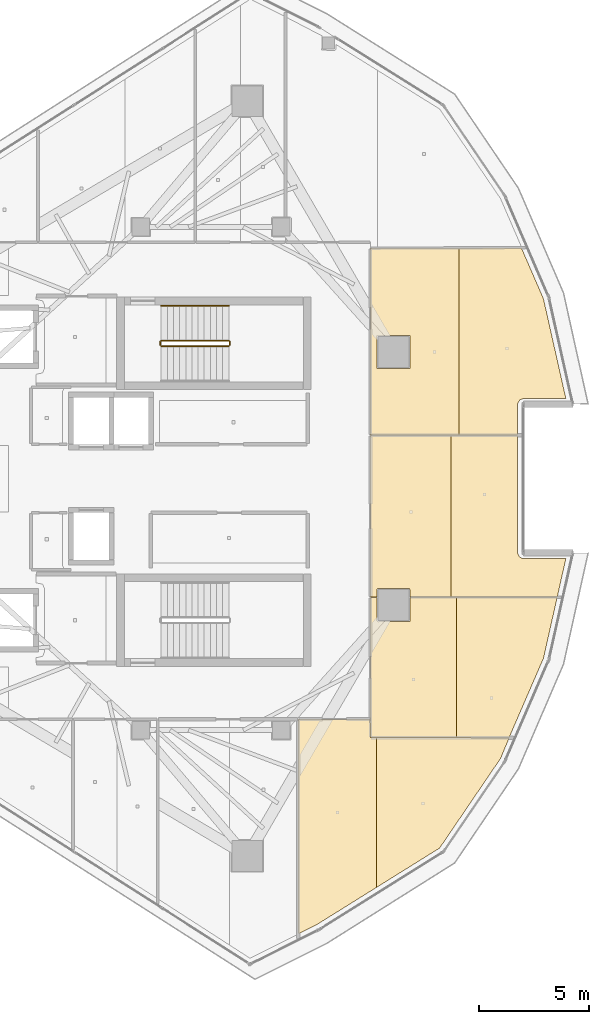
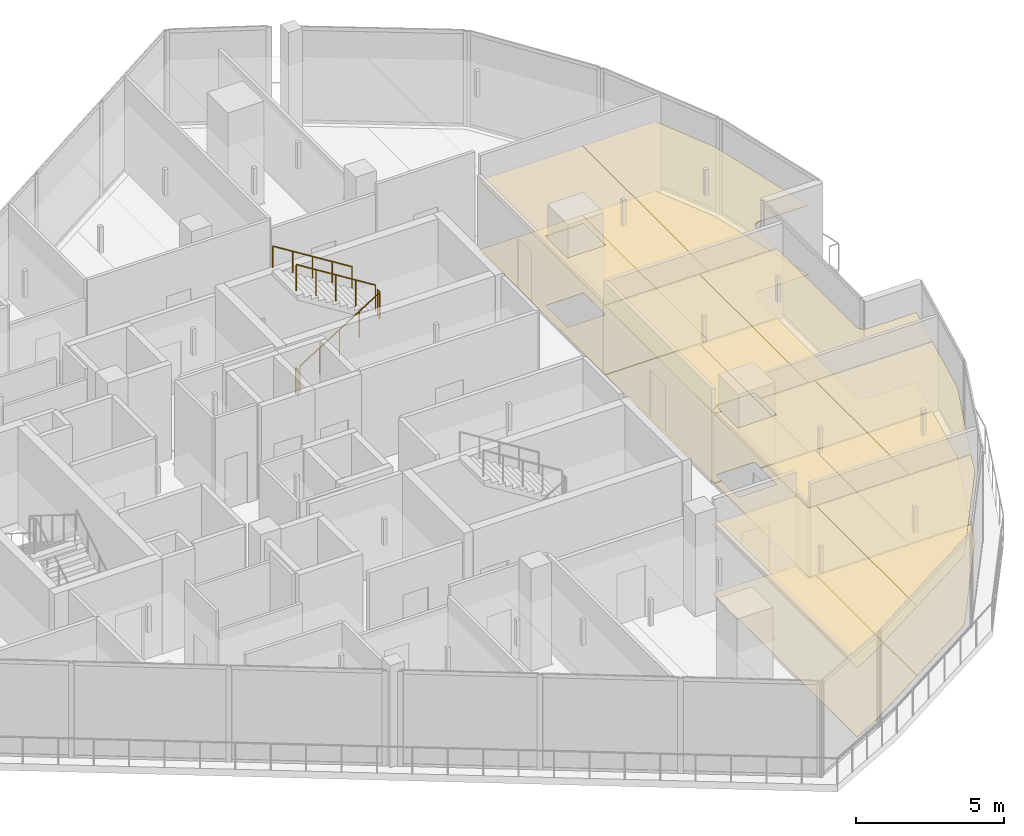
# One storey, part 24 of 25: 16 coverings, 5 railings.
"""IFC4 building model written with IfcOpenShell, lengths in metres."""

from ifc_helpers import new_model, si_unit, direction, frame, origin, origin_2d, place, context, subcontext, project, spatial, polyline, circle, outline, extrude, material, layer, layer_set, type_object, element, save


model = new_model("IFC4")

# Units and contexts
model_context = context("Model", 3, precision=1e-05, world=origin(), true_north=direction((0.0, 1.0)))
body_context = subcontext(model_context, "Body", "Model", "MODEL_VIEW")
ifc_project = project(units=[si_unit("LENGTHUNIT", "METRE"), si_unit("AREAUNIT", "SQUARE_METRE"), si_unit("VOLUMEUNIT", "CUBIC_METRE"), si_unit("PLANEANGLEUNIT", "RADIAN"), si_unit("MASSUNIT", "GRAM", prefix="KILO")], contexts=[model_context])

# Site, building, storey
site_placement = place(None, origin())
site = spatial("IfcSite", under=ifc_project, at=site_placement, CompositionType="ELEMENT")
building_placement = place(site_placement, origin())
building = spatial("IfcBuilding", under=site, at=building_placement, Name="Qorvath Tower", CompositionType="ELEMENT")
storey_placement = place(building_placement, frame((0.0, 0.0, 306.0)))
storey = spatial("IfcBuildingStorey", under=building, at=storey_placement, Name="L71", CompositionType="ELEMENT", Elevation=306.0)

# Coverings
ifc_material_1 = material(Name="Acoustic mineral fibre ceiling tile", Category="gypsum")
ifc_layer_1 = layer(ifc_material_1, 0.030029296875)
ifc_layer_set_1 = layer_set([ifc_layer_1], Name="COV-CEIL")
covering_type_1 = type_object("IfcCoveringType", Name="COV-CEIL", PredefinedType="CEILING", material=ifc_layer_set_1)
covering_1_placement = place(storey_placement, frame((0.0, 0.0, 2.85009765625)))
element("IfcCovering", 1, at=covering_1_placement, inside=storey, type_object=covering_type_1, Name="L71 Suspended Acoustic Ceiling 028", PredefinedType="CEILING", context=body_context, shape_type="SweptSolid", body=[
    extrude(outline(polyline([(-13.155029296875, -10.962890625), (-16.420654296875, -10.962890625), (-16.421142578125, -20.720947265625), (-15.59619140625, -20.30859375), (-12.8779296875, -18.61474609375), (-12.8779296875, -11.79345703125), (-13.14990234375, -11.793212890625), (-13.155029296875, -10.962890625)])), origin(), (0.0, 0.0, 1.0), 0.030029296875),
])
covering_2_placement = place(storey_placement, frame((0.0, 0.0, 2.85009765625)))
element("IfcCovering", 2, at=covering_2_placement, inside=storey, type_object=covering_type_1, Name="L71 Suspended Acoustic Ceiling 029", PredefinedType="CEILING", context=body_context, shape_type="SweptSolid", body=[
    extrude(outline(polyline([(-12.8779296875, -11.79345703125), (-12.8779296875, -18.61474609375), (-9.995361328125, -16.818603515625), (-7.22509765625, -12.742431640625), (-6.829345703125, -11.799072265625), (-12.8779296875, -11.79345703125)])), origin(), (0.0, 0.0, 1.0), 0.030029296875),
])
covering_3_placement = place(storey_placement, frame((0.0, 0.0, 2.85009765625)))
element("IfcCovering", 3, at=covering_3_placement, inside=storey, type_object=covering_type_1, Name="L71 Suspended Acoustic Ceiling 030", PredefinedType="CEILING", context=body_context, shape_type="SweptSolid", body=[
    extrude(outline(polyline([(-13.136962890625, -5.40869140625), (-13.136962890625, -11.775146484375), (-9.228271484375, -11.77880859375), (-9.228271484375, -5.40869140625), (-11.3369140625, -5.40869140625), (-11.3544921875, -6.500244140625), (-12.796875, -6.517822265625), (-12.856689453125, -6.4580078125), (-12.856689453125, -5.40869140625), (-13.136962890625, -5.40869140625)])), origin(), (0.0, 0.0, 1.0), 0.030029296875),
])
covering_4_placement = place(storey_placement, frame((0.0, 0.0, 2.85009765625)))
element("IfcCovering", 4, at=covering_4_placement, inside=storey, type_object=covering_type_1, Name="L71 Suspended Acoustic Ceiling 031", PredefinedType="CEILING", context=body_context, shape_type="SweptSolid", body=[
    extrude(outline(polyline([(-9.228271484375, -5.40869140625), (-9.228271484375, -11.77880859375), (-6.829833984375, -11.78125), (-5.271728515625, -8.186279296875), (-4.64697265625, -5.40869140625), (-9.228271484375, -5.40869140625)])), origin(), (0.0, 0.0, 1.0), 0.030029296875),
])
covering_5_placement = place(storey_placement, frame((0.0, 0.0, 2.85009765625)))
element("IfcCovering", 5, at=covering_5_placement, inside=storey, type_object=covering_type_1, Name="L71 Suspended Acoustic Ceiling 032", PredefinedType="CEILING", context=body_context, shape_type="SweptSolid", body=[
    extrude(outline(polyline([(-9.470703125, -5.390625), (-9.470703125, 1.959228515625), (-13.136962890625, 1.959228515625), (-13.136962890625, -5.390625), (-12.856689453125, -5.390625), (-12.856689453125, -5.057861328125), (-12.796875, -4.997802734375), (-11.396728515625, -4.997802734375), (-11.3369140625, -5.057861328125), (-11.3369140625, -5.390625), (-9.470703125, -5.390625)])), origin(), (0.0, 0.0, 1.0), 0.030029296875),
])
covering_6_placement = place(storey_placement, frame((0.0, 0.0, 2.85009765625)))
element("IfcCovering", 6, at=covering_6_placement, inside=storey, type_object=covering_type_1, Name="L71 Suspended Acoustic Ceiling 033", PredefinedType="CEILING", context=body_context, shape_type="SweptSolid", body=[
    extrude(outline(polyline([(-6.350830078125, -3.581298828125), (-6.441650390625, -3.410400390625), (-6.44287109375, 1.959228515625), (-9.470703125, 1.959228515625), (-9.470703125, -5.390625), (-4.642822265625, -5.390625), (-4.24951171875, -3.640869140625), (-6.21240234375, -3.6396484375), (-6.350830078125, -3.581298828125)])), origin(), (0.0, 0.0, 1.0), 0.030029296875),
])
covering_7_placement = place(storey_placement, frame((0.0, 0.0, 2.85009765625)))
element("IfcCovering", 7, at=covering_7_placement, inside=storey, type_object=covering_type_1, Name="L71 Suspended Acoustic Ceiling 034", PredefinedType="CEILING", context=body_context, shape_type="SweptSolid", body=[
    extrude(outline(polyline([(-9.112548828125, 1.977294921875), (-9.112548828125, 10.477783203125), (-13.136962890625, 10.46142578125), (-13.136962890625, 1.977294921875), (-9.112548828125, 1.977294921875)]), holes=[polyline([(-12.839111328125, 5.015380859375), (-12.839111328125, 6.500244140625), (-11.3544921875, 6.500244140625), (-11.3544921875, 5.015380859375), (-12.839111328125, 5.015380859375)])]), origin(), (0.0, 0.0, 1.0), 0.030029296875),
])
covering_8_placement = place(storey_placement, frame((0.0, 0.0, 2.85009765625)))
element("IfcCovering", 8, at=covering_8_placement, inside=storey, type_object=covering_type_1, Name="L71 Suspended Acoustic Ceiling 035", PredefinedType="CEILING", context=body_context, shape_type="SweptSolid", body=[
    extrude(outline(polyline([(-6.189697265625, 3.640625), (-4.24951171875, 3.640869140625), (-5.271728515625, 8.186279296875), (-6.27001953125, 10.4892578125), (-9.112548828125, 10.477783203125), (-9.112548828125, 1.977294921875), (-6.44287109375, 1.977294921875), (-6.441650390625, 3.410400390625), (-6.350830078125, 3.581298828125), (-6.189697265625, 3.640625)])), origin(), (0.0, 0.0, 1.0), 0.030029296875),
])
ifc_material_2 = material(Name="Low-VOC modular carpet tile", Category="textile")
ifc_layer_2 = layer(ifc_material_2, 0.014892578125)
ifc_layer_set_2 = layer_set([ifc_layer_2], Name="COV-FLOOR-CPT")
covering_type_2 = type_object("IfcCoveringType", Name="COV-FLOOR-CPT", PredefinedType="FLOORING", material=ifc_layer_set_2)
covering_9_placement = place(storey_placement, origin())
element("IfcCovering", 9, at=covering_9_placement, inside=storey, type_object=covering_type_2, Name="L71 Floor Finish 028", PredefinedType="FLOORING", context=body_context, shape_type="SweptSolid", body=[
    extrude(outline(polyline([(-13.155029296875, -10.962890625), (-16.420654296875, -10.962890625), (-16.421142578125, -20.720947265625), (-15.59619140625, -20.30859375), (-12.8779296875, -18.61474609375), (-12.8779296875, -11.79345703125), (-13.14990234375, -11.793212890625), (-13.155029296875, -10.962890625)])), origin(), (0.0, 0.0, 1.0), 0.014892578125),
])
covering_10_placement = place(storey_placement, origin())
element("IfcCovering", 10, at=covering_10_placement, inside=storey, type_object=covering_type_2, Name="L71 Floor Finish 029", PredefinedType="FLOORING", context=body_context, shape_type="SweptSolid", body=[
    extrude(outline(polyline([(-12.8779296875, -11.79345703125), (-12.8779296875, -18.61474609375), (-9.995361328125, -16.818603515625), (-7.22509765625, -12.742431640625), (-6.829345703125, -11.799072265625), (-12.8779296875, -11.79345703125)])), origin(), (0.0, 0.0, 1.0), 0.014892578125),
])
covering_11_placement = place(storey_placement, origin())
element("IfcCovering", 11, at=covering_11_placement, inside=storey, type_object=covering_type_2, Name="L71 Floor Finish 030", PredefinedType="FLOORING", context=body_context, shape_type="SweptSolid", body=[
    extrude(outline(polyline([(-13.136962890625, -5.40869140625), (-13.136962890625, -11.775146484375), (-9.228271484375, -11.77880859375), (-9.228271484375, -5.40869140625), (-11.3369140625, -5.40869140625), (-11.3544921875, -6.500244140625), (-12.796875, -6.517822265625), (-12.856689453125, -6.4580078125), (-12.856689453125, -5.40869140625), (-13.136962890625, -5.40869140625)])), origin(), (0.0, 0.0, 1.0), 0.014892578125),
])
covering_12_placement = place(storey_placement, origin())
element("IfcCovering", 12, at=covering_12_placement, inside=storey, type_object=covering_type_2, Name="L71 Floor Finish 031", PredefinedType="FLOORING", context=body_context, shape_type="SweptSolid", body=[
    extrude(outline(polyline([(-9.228271484375, -5.40869140625), (-9.228271484375, -11.77880859375), (-6.829833984375, -11.78125), (-5.271728515625, -8.186279296875), (-4.64697265625, -5.40869140625), (-9.228271484375, -5.40869140625)])), origin(), (0.0, 0.0, 1.0), 0.014892578125),
])
covering_13_placement = place(storey_placement, origin())
element("IfcCovering", 13, at=covering_13_placement, inside=storey, type_object=covering_type_2, Name="L71 Floor Finish 032", PredefinedType="FLOORING", context=body_context, shape_type="SweptSolid", body=[
    extrude(outline(polyline([(-9.470703125, -5.390625), (-9.470703125, 1.959228515625), (-13.136962890625, 1.959228515625), (-13.136962890625, -5.390625), (-12.856689453125, -5.390625), (-12.856689453125, -5.057861328125), (-12.796875, -4.997802734375), (-11.396728515625, -4.997802734375), (-11.3369140625, -5.057861328125), (-11.3369140625, -5.390625), (-9.470703125, -5.390625)])), origin(), (0.0, 0.0, 1.0), 0.014892578125),
])
covering_14_placement = place(storey_placement, origin())
element("IfcCovering", 14, at=covering_14_placement, inside=storey, type_object=covering_type_2, Name="L71 Floor Finish 033", PredefinedType="FLOORING", context=body_context, shape_type="SweptSolid", body=[
    extrude(outline(polyline([(-6.350830078125, -3.581298828125), (-6.441650390625, -3.410400390625), (-6.44287109375, 1.959228515625), (-9.470703125, 1.959228515625), (-9.470703125, -5.390625), (-4.642822265625, -5.390625), (-4.24951171875, -3.640869140625), (-6.21240234375, -3.6396484375), (-6.350830078125, -3.581298828125)])), origin(), (0.0, 0.0, 1.0), 0.014892578125),
])
covering_15_placement = place(storey_placement, origin())
element("IfcCovering", 15, at=covering_15_placement, inside=storey, type_object=covering_type_2, Name="L71 Floor Finish 034", PredefinedType="FLOORING", context=body_context, shape_type="SweptSolid", body=[
    extrude(outline(polyline([(-9.112548828125, 1.977294921875), (-9.112548828125, 10.477783203125), (-13.136962890625, 10.46142578125), (-13.136962890625, 1.977294921875), (-9.112548828125, 1.977294921875)]), holes=[polyline([(-12.839111328125, 5.015380859375), (-12.839111328125, 6.500244140625), (-11.3544921875, 6.500244140625), (-11.3544921875, 5.015380859375), (-12.839111328125, 5.015380859375)])]), origin(), (0.0, 0.0, 1.0), 0.014892578125),
])
covering_16_placement = place(storey_placement, origin())
element("IfcCovering", 16, at=covering_16_placement, inside=storey, type_object=covering_type_2, Name="L71 Floor Finish 035", PredefinedType="FLOORING", context=body_context, shape_type="SweptSolid", body=[
    extrude(outline(polyline([(-6.189697265625, 3.640625), (-4.24951171875, 3.640869140625), (-5.271728515625, 8.186279296875), (-6.27001953125, 10.4892578125), (-9.112548828125, 10.477783203125), (-9.112548828125, 1.977294921875), (-6.44287109375, 1.977294921875), (-6.441650390625, 3.410400390625), (-6.350830078125, 3.581298828125), (-6.189697265625, 3.640625)])), origin(), (0.0, 0.0, 1.0), 0.014892578125),
])

# Railings
ifc_material_3 = material(Name="Painted galvanised steel", Category="steel")
railing_type_1 = type_object("IfcRailingType", Name="RL-STR-GRD", PredefinedType="GUARDRAIL", material=ifc_material_3)
railing_1_placement = place(storey_placement, frame((-22.669921875, 6.030029296875, 0.175048828125)))
element("IfcRailing", 17, at=railing_1_placement, inside=storey, type_object=railing_type_1, Name="L71 TS1 stair guard 1", PredefinedType="GUARDRAIL", context=body_context, shape_type="SweptSolid", body=[
    extrude(circle(Radius=0.02392578125, at=origin_2d()), frame((0.0, 0.0, 1.076171875), z_axis=(0.847979421464, 0.0, 0.530029150871), x_axis=(0.0, 1.0, 0.0)), (0.0, 0.0, 1.0), 3.632080078125),
    extrude(circle(Radius=0.02099609375, at=origin_2d()), origin(), (0.0, 0.0, 1.0), 1.052001953125),
    extrude(circle(Radius=0.02099609375, at=origin_2d()), frame((0.77001953125, 0.0, 0.481201171875)), (0.0, 0.0, 1.0), 1.052001953125),
    extrude(circle(Radius=0.02099609375, at=origin_2d()), frame((1.5400390625, 0.0, 0.96240234375)), (0.0, 0.0, 1.0), 1.052001953125),
    extrude(circle(Radius=0.02099609375, at=origin_2d()), frame((2.309814453125, 0.0, 1.44384765625)), (0.0, 0.0, 1.0), 1.052001953125),
    extrude(circle(Radius=0.02099609375, at=origin_2d()), frame((3.079833984375, 0.0, 1.925048828125)), (0.0, 0.0, 1.0), 1.052001953125),
])
railing_2_placement = place(storey_placement, frame((-19.5400390625, 6.080078125, 2.10009765625)))
element("IfcRailing", 18, at=railing_2_placement, inside=storey, type_object=railing_type_1, Name="L71 TS1 stair guard 2", PredefinedType="GUARDRAIL", context=body_context, shape_type="SweptSolid", body=[
    extrude(circle(Radius=0.02392578125, at=origin_2d()), frame((0.0, 0.0, 1.076171875), z_axis=(0.0, 1.0, 0.0), x_axis=(-1.0, 0.0, 0.0)), (0.0, 0.0, 1.0), 0.14990234375),
    extrude(circle(Radius=0.02099609375, at=origin_2d()), origin(), (0.0, 0.0, 1.0), 1.052001953125),
    extrude(circle(Radius=0.02099609375, at=origin_2d()), frame((0.0, 0.14990234375, 0.0)), (0.0, 0.0, 1.0), 1.052001953125),
])
railing_3_placement = place(storey_placement, frame((-19.590087890625, 6.280029296875, 2.27490234375)))
element("IfcRailing", 19, at=railing_3_placement, inside=storey, type_object=railing_type_1, Name="L71 TS1 stair guard 3", PredefinedType="GUARDRAIL", context=body_context, shape_type="SweptSolid", body=[
    extrude(circle(Radius=0.02392578125, at=origin_2d()), frame((0.0, 0.0, 1.076171875), z_axis=(-0.847979421464, 0.0, 0.530029150871), x_axis=(0.0, -1.0, 0.0)), (0.0, 0.0, 1.0), 3.632080078125),
    extrude(circle(Radius=0.02099609375, at=origin_2d()), origin(), (0.0, 0.0, 1.0), 1.052001953125),
    extrude(circle(Radius=0.02099609375, at=origin_2d()), frame((-0.77001953125, 0.0, 0.481201171875)), (0.0, 0.0, 1.0), 1.052001953125),
    extrude(circle(Radius=0.02099609375, at=origin_2d()), frame((-1.5400390625, 0.0, 0.96240234375)), (0.0, 0.0, 1.0), 1.052001953125),
    extrude(circle(Radius=0.02099609375, at=origin_2d()), frame((-2.309814453125, 0.0, 1.44384765625)), (0.0, 0.0, 1.0), 1.052001953125),
    extrude(circle(Radius=0.02099609375, at=origin_2d()), frame((-3.079833984375, 0.0, 1.925048828125)), (0.0, 0.0, 1.0), 1.052001953125),
])
railing_4_placement = place(storey_placement, frame((-22.719970703125, 6.080078125, 0.0)))
element("IfcRailing", 20, at=railing_4_placement, inside=storey, type_object=railing_type_1, Name="L71 TS1 stair guard 4", PredefinedType="GUARDRAIL", context=body_context, shape_type="SweptSolid", body=[
    extrude(circle(Radius=0.02392578125, at=origin_2d()), frame((0.0, 0.0, 1.076171875), z_axis=(0.0, 1.0, 0.0), x_axis=(-1.0, 0.0, 0.0)), (0.0, 0.0, 1.0), 0.14990234375),
    extrude(circle(Radius=0.02099609375, at=origin_2d()), origin(), (0.0, 0.0, 1.0), 1.052001953125),
    extrude(circle(Radius=0.02099609375, at=origin_2d()), frame((0.0, 0.14990234375, 0.0)), (0.0, 0.0, 1.0), 1.052001953125),
])
ifc_material_4 = material(Name="Brushed stainless steel AISI 304", Category="steel")
railing_type_2 = type_object("IfcRailingType", Name="RL-STR-HND", PredefinedType="HANDRAIL", material=ifc_material_4)
railing_5_placement = place(storey_placement, frame((-19.590087890625, 7.860107421875, 2.27490234375)))
element("IfcRailing", 21, at=railing_5_placement, inside=storey, type_object=railing_type_2, Name="L71 TS1 stair handrail 2", PredefinedType="HANDRAIL", context=body_context, shape_type="SweptSolid", body=[
    extrude(circle(Radius=0.02392578125, at=origin_2d()), frame((0.0, 0.0, 0.8759765625), z_axis=(-0.847979421464, 0.0, 0.530029150871), x_axis=(0.0, -1.0, 0.0)), (0.0, 0.0, 1.0), 3.632080078125),
    extrude(circle(Radius=0.02099609375, at=origin_2d()), origin(), (0.0, 0.0, 1.0), 0.851806640625),
    extrude(circle(Radius=0.02099609375, at=origin_2d()), frame((-0.77001953125, 0.0, 0.481201171875)), (0.0, 0.0, 1.0), 0.851806640625),
    extrude(circle(Radius=0.02099609375, at=origin_2d()), frame((-1.5400390625, 0.0, 0.96240234375)), (0.0, 0.0, 1.0), 0.851806640625),
    extrude(circle(Radius=0.02099609375, at=origin_2d()), frame((-2.309814453125, 0.0, 1.44384765625)), (0.0, 0.0, 1.0), 0.851806640625),
    extrude(circle(Radius=0.02099609375, at=origin_2d()), frame((-3.079833984375, 0.0, 1.925048828125)), (0.0, 0.0, 1.0), 0.851806640625),
])

save(model, "model.ifc")
